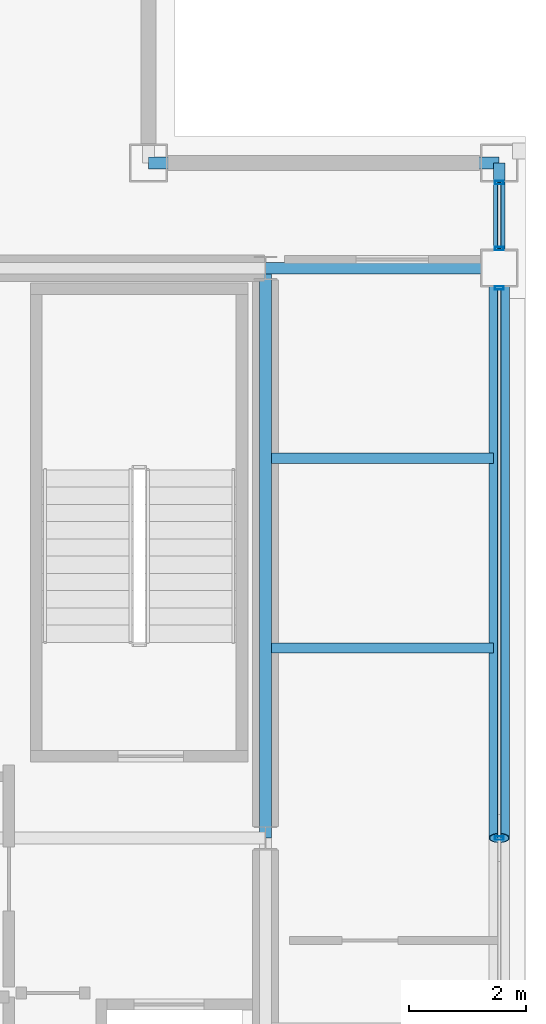
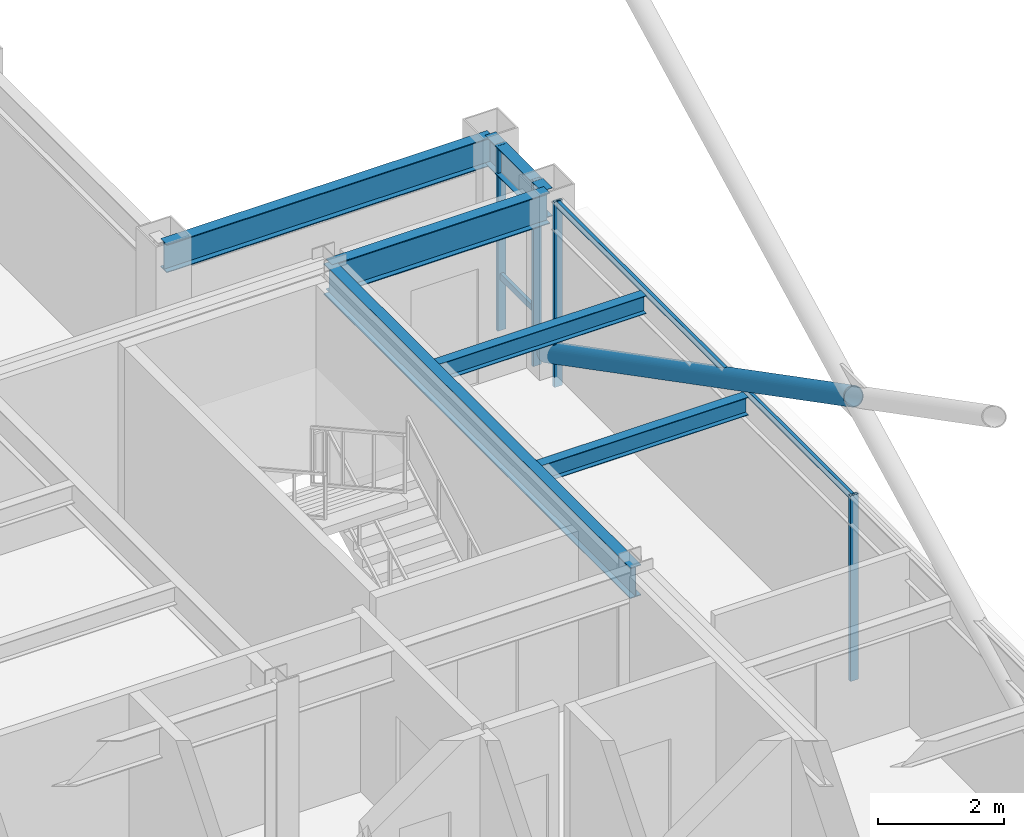
# One storey, part 15 of 26: 7 members, 6 beams, 2 elements without a shape of their own.
"""IFC4 building model written with IfcOpenShell, lengths in metres."""

from ifc_helpers import new_model, si_unit, direction, frame, origin, origin_2d, place, context, subcontext, project, spatial, hollow_rectangle, hollow_circle, i_section, extrude, material, layer, layer_set, material_profile, profile_set, type_object, element, aggregate, save


model = new_model("IFC4")

# Units and contexts
model_context = context("Model", 3, precision=1e-05, world=origin(), true_north=direction((0.0, 1.0)))
body_context = subcontext(model_context, "Body", "Model", "MODEL_VIEW")
ifc_project = project(units=[si_unit("LENGTHUNIT", "METRE"), si_unit("AREAUNIT", "SQUARE_METRE"), si_unit("VOLUMEUNIT", "CUBIC_METRE"), si_unit("PLANEANGLEUNIT", "RADIAN"), si_unit("MASSUNIT", "GRAM", prefix="KILO")], contexts=[model_context])

# Site, building, storey
site_placement = place(None, origin())
site = spatial("IfcSite", under=ifc_project, at=site_placement, CompositionType="ELEMENT")
building_placement = place(site_placement, origin())
building = spatial("IfcBuilding", under=site, at=building_placement, Name="Brelmoor Portico Tower", CompositionType="ELEMENT")
storey_placement = place(building_placement, frame((0.0, 0.0, 247.199951171875)))
storey = spatial("IfcBuildingStorey", under=building, at=storey_placement, Name="L65", CompositionType="ELEMENT", Elevation=247.199951171875)

# Beams
ifc_material_1 = material(Name="Steel Q355B", Category="steel")
ifc_material_profile_1 = material_profile(ifc_material_1, i_section(OverallWidth=0.175048828125, OverallDepth=0.35009765625, WebThickness=0.007080078125, FlangeThickness=0.010986328125, at=origin_2d()), Name="HN 350x175x7x11")
ifc_profile_set_1 = profile_set([ifc_material_profile_1], Name="Steel Q355B")
beam_type_1 = type_object("IfcBeamType", Name="BM-JS-350", PredefinedType="JOIST", material=ifc_profile_set_1)
for number, where, z_axis, x_axis, name in (
    (1, (14.64990234375, 3.25, 3.22509765625), (1.0, 0.0, 0.0), (0.0, 1.0, 0.0), "L65 Secondary Wing Joist JS-E13"),
    (2, (14.64990234375, 6.5, 3.22509765625), (1.0, 0.0, 0.0), (0.0, 1.0, 0.0), "L65 Secondary Wing Joist JS-E14"),
):
    element("IfcBeam", number, at=place(storey_placement, frame(where, z_axis=z_axis, x_axis=x_axis)), inside=storey, type_object=beam_type_1, Name=name, PredefinedType="JOIST", context=body_context, shape_type="SweptSolid", body=[
        extrude(i_section(OverallWidth=0.175048828125, OverallDepth=0.35009765625, WebThickness=0.007080078125, FlangeThickness=0.010986328125, at=origin_2d()), origin(), (0.0, 0.0, 1.0), 3.800048828125),
    ])
ifc_material_profile_2 = material_profile(ifc_material_1, i_section(OverallWidth=0.199951171875, OverallDepth=0.60009765625, WebThickness=0.010986328125, FlangeThickness=0.01708984375, at=origin_2d()), Name="HN 600x200x11x17")
ifc_profile_set_2 = profile_set([ifc_material_profile_2], Name="Steel Q355B")
beam_type_2 = type_object("IfcBeamType", Name="BM-PG-600", PredefinedType="BEAM", material=ifc_profile_set_2)
beam_1_placement = place(storey_placement, frame((14.550048828125, 0.0, 3.10009765625), z_axis=(0.0, 1.0, 0.0), x_axis=(-1.0, 0.0, 0.0)))
element("IfcBeam", 3, at=beam_1_placement, inside=storey, type_object=beam_type_2, Name="L65 Primary Floor Girder PG-10", PredefinedType="BEAM", context=body_context, shape_type="SweptSolid", body=[
    extrude(i_section(OverallWidth=0.199951171875, OverallDepth=0.60009765625, WebThickness=0.010986328125, FlangeThickness=0.01708984375, at=origin_2d()), origin(), (0.0, 0.0, 1.0), 9.75),
])
beam_2_placement = place(storey_placement, frame((14.550048828125, 9.75, 3.10009765625), z_axis=(1.0, 0.0, 0.0), x_axis=(0.0, 1.0, 0.0)))
element("IfcBeam", 4, at=beam_2_placement, inside=storey, type_object=beam_type_2, Name="L65 Primary Floor Girder PG-23", PredefinedType="BEAM", context=body_context, shape_type="SweptSolid", body=[
    extrude(i_section(OverallWidth=0.199951171875, OverallDepth=0.60009765625, WebThickness=0.010986328125, FlangeThickness=0.01708984375, at=origin_2d()), origin(), (0.0, 0.0, 1.0), 4.0),
])
ifc_material_profile_3 = material_profile(ifc_material_1, i_section(OverallWidth=0.199951171875, OverallDepth=0.550048828125, WebThickness=0.010009765625, FlangeThickness=0.01611328125, at=origin_2d()), Name="HN 550x200x10x16")
ifc_profile_set_3 = profile_set([ifc_material_profile_3], Name="Steel Q355B")
beam_type_3 = type_object("IfcBeamType", Name="BM-SP-550", PredefinedType="SPANDREL", material=ifc_profile_set_3)
beam_3_placement = place(storey_placement, frame((12.550048828125, 11.550048828125, 3.125), z_axis=(1.0, 0.0, 0.0), x_axis=(0.0, 1.0, 0.0)))
element("IfcBeam", 5, at=beam_3_placement, inside=storey, type_object=beam_type_3, Name="L65 Perimeter Spandrel Beam SP-07", PredefinedType="SPANDREL", context=body_context, shape_type="SweptSolid", body=[
    extrude(i_section(OverallWidth=0.199951171875, OverallDepth=0.550048828125, WebThickness=0.010009765625, FlangeThickness=0.01611328125, at=origin_2d()), origin(), (0.0, 0.0, 1.0), 6.0),
])
beam_4_placement = place(storey_placement, frame((18.550048828125, 9.75, 3.125), z_axis=(0.0, 1.0, 0.0), x_axis=(-1.0, 0.0, 0.0)))
element("IfcBeam", 6, at=beam_4_placement, inside=storey, type_object=beam_type_3, Name="L65 Perimeter Spandrel Beam SP-20", PredefinedType="SPANDREL", context=body_context, shape_type="SweptSolid", body=[
    extrude(i_section(OverallWidth=0.199951171875, OverallDepth=0.550048828125, WebThickness=0.010009765625, FlangeThickness=0.01611328125, at=origin_2d()), origin(), (0.0, 0.0, 1.0), 1.800048828125),
])

# Member
ifc_material_profile_4 = material_profile(ifc_material_1, hollow_circle(Radius=0.177978515625, WallThickness=0.01611328125, at=origin_2d()), Name="CHS 356x16")
ifc_profile_set_4 = profile_set([ifc_material_profile_4], Name="Steel Q355B")
member_type_1 = type_object("IfcMemberType", Name="MB-BELT-DIAG2", PredefinedType="BRACE", material=ifc_profile_set_4)
member_1_placement = place(storey_placement, frame((18.550048828125, 9.75, 0.25), z_axis=(0.0, -0.887959386012, 0.459921872488), x_axis=(1.0, 0.0, 0.0)))
element("IfcMember", 7, at=member_1_placement, inside=storey, type_object=member_type_1, Name="L65 Split Mega-X Brace 149B1", PredefinedType="BRACE", context=body_context, shape_type="SweptSolid", body=[
    extrude(hollow_circle(Radius=0.177978515625, WallThickness=0.01611328125, at=origin_2d()), origin(), (0.0, 0.0, 1.0), 10.980224609375),
])

# Curtain wall, members
ifc_material_2 = material(Name="Anodised Aluminium Alloy 6063-T6", Category="aluminium")
ifc_layer_1 = layer(ifc_material_2, 0.179931640625)
ifc_layer_set_1 = layer_set([ifc_layer_1], Name="Anodised Aluminium Alloy 6063-T6")
curtain_wall_type_1 = type_object("IfcCurtainWallType", Name="CW-TOWER-Z4-XB", PredefinedType="NOTDEFINED", material=ifc_layer_set_1)
curtain_wall_1_placement = place(storey_placement, origin())
curtain_wall_1 = element("IfcCurtainWall", 8, at=curtain_wall_1_placement, inside=storey, type_object=curtain_wall_type_1, Name="L65 Curtain Wall CW-L65-04-2", PredefinedType="NOTDEFINED")
ifc_material_profile_5 = material_profile(ifc_material_2, hollow_rectangle(XDim=0.06005859375, YDim=0.14990234375, WallThickness=0.00390625, at=origin_2d()), Name="ALU MULLION 60x150")
ifc_profile_set_5 = profile_set([ifc_material_profile_5], Name="Anodised Aluminium Alloy 6063-T6")
member_type_2 = type_object("IfcMemberType", Name="MB-CW-MULL-150", PredefinedType="MULLION", material=ifc_profile_set_5)
member_2_placement = place(storey_placement, frame((18.550048828125, 0.0, -0.199951171875), z_axis=(0.0, 0.0, 1.0), x_axis=(0.0, 1.0, 0.0)))
member_2 = element("IfcMember", 9, at=member_2_placement, type_object=member_type_2, Name="CW-L65-04-2 Mullion 01", PredefinedType="MULLION", context=body_context, shape_type="SweptSolid", body=[
    extrude(hollow_rectangle(XDim=0.06005859375, YDim=0.14990234375, WallThickness=0.00390625, at=origin_2d()), origin(), (0.0, 0.0, 1.0), 3.60009765625),
])
member_3_placement = place(storey_placement, frame((18.550048828125, 9.4150390625, -0.199951171875), z_axis=(0.0, 0.0, 1.0), x_axis=(0.0, 1.0, 0.0)))
member_3 = element("IfcMember", 10, at=member_3_placement, type_object=member_type_2, Name="CW-L65-04-2 Mullion 02", PredefinedType="MULLION", context=body_context, shape_type="SweptSolid", body=[
    extrude(hollow_rectangle(XDim=0.06005859375, YDim=0.14990234375, WallThickness=0.00390625, at=origin_2d()), origin(), (0.0, 0.0, 1.0), 3.60009765625),
])

ifc_layer_2 = layer(ifc_material_2, 0.179931640625)
ifc_layer_set_2 = layer_set([ifc_layer_2], Name="Anodised Aluminium Alloy 6063-T6")
curtain_wall_type_2 = type_object("IfcCurtainWallType", Name="CW-TOWER-Z4", PredefinedType="NOTDEFINED", material=ifc_layer_set_2)
curtain_wall_2_placement = place(storey_placement, origin())
curtain_wall_2 = element("IfcCurtainWall", 11, at=curtain_wall_2_placement, inside=storey, type_object=curtain_wall_type_2, Name="L65 Curtain Wall CW-L65-04-3", PredefinedType="NOTDEFINED")
member_4_placement = place(storey_placement, frame((18.550048828125, 10.0849609375, -0.199951171875), z_axis=(0.0, 0.0, 1.0), x_axis=(0.0, 1.0, 0.0)))
member_4 = element("IfcMember", 12, at=member_4_placement, type_object=member_type_2, Name="CW-L65-04-3 Mullion 00", PredefinedType="MULLION", context=body_context, shape_type="SweptSolid", body=[
    extrude(hollow_rectangle(XDim=0.06005859375, YDim=0.14990234375, WallThickness=0.00390625, at=origin_2d()), origin(), (0.0, 0.0, 1.0), 3.60009765625),
])
member_5_placement = place(storey_placement, frame((18.550048828125, 11.215087890625, -0.199951171875), z_axis=(0.0, 0.0, 1.0), x_axis=(0.0, 1.0, 0.0)))
member_5 = element("IfcMember", 13, at=member_5_placement, type_object=member_type_2, Name="CW-L65-04-3 Mullion 01", PredefinedType="MULLION", context=body_context, shape_type="SweptSolid", body=[
    extrude(hollow_rectangle(XDim=0.06005859375, YDim=0.14990234375, WallThickness=0.00390625, at=origin_2d()), origin(), (0.0, 0.0, 1.0), 3.60009765625),
])

# Member
ifc_material_profile_6 = material_profile(ifc_material_2, hollow_rectangle(XDim=0.06005859375, YDim=0.125, WallThickness=0.00341796875, at=origin_2d()), Name="ALU TRANSOM 60x125")
ifc_profile_set_6 = profile_set([ifc_material_profile_6], Name="Anodised Aluminium Alloy 6063-T6")
member_type_3 = type_object("IfcMemberType", Name="MB-CW-TRAN-125", PredefinedType="USERDEFINED", material=ifc_profile_set_6)
member_6_placement = place(storey_placement, frame((18.550048828125, 0.0, 3.337646484375), z_axis=(0.0, 1.0, 0.0), x_axis=(-1.0, 0.0, 0.0)))
member_6 = element("IfcMember", 14, at=member_6_placement, type_object=member_type_3, Name="CW-L65-04-2 Transom 1-01", ObjectType="TRANSOM", PredefinedType="USERDEFINED", context=body_context, shape_type="SweptSolid", body=[
    extrude(hollow_rectangle(XDim=0.06005859375, YDim=0.125, WallThickness=0.00341796875, at=origin_2d()), origin(), (0.0, 0.0, 1.0), 9.4150390625),
])

aggregate(curtain_wall_1, [member_2, member_3, member_6])

member_7_placement = place(storey_placement, frame((18.550048828125, 10.0849609375, 0.85009765625), z_axis=(0.0, 1.0, 0.0), x_axis=(-1.0, 0.0, 0.0)))
member_7 = element("IfcMember", 15, at=member_7_placement, type_object=member_type_3, Name="CW-L65-04-3 Transom 1-00", ObjectType="TRANSOM", PredefinedType="USERDEFINED", context=body_context, shape_type="SweptSolid", body=[
    extrude(hollow_rectangle(XDim=0.06005859375, YDim=0.125, WallThickness=0.00341796875, at=origin_2d()), origin(), (0.0, 0.0, 1.0), 1.130126953125),
])

aggregate(curtain_wall_2, [member_4, member_5, member_7])

save(model, "model.ifc")
